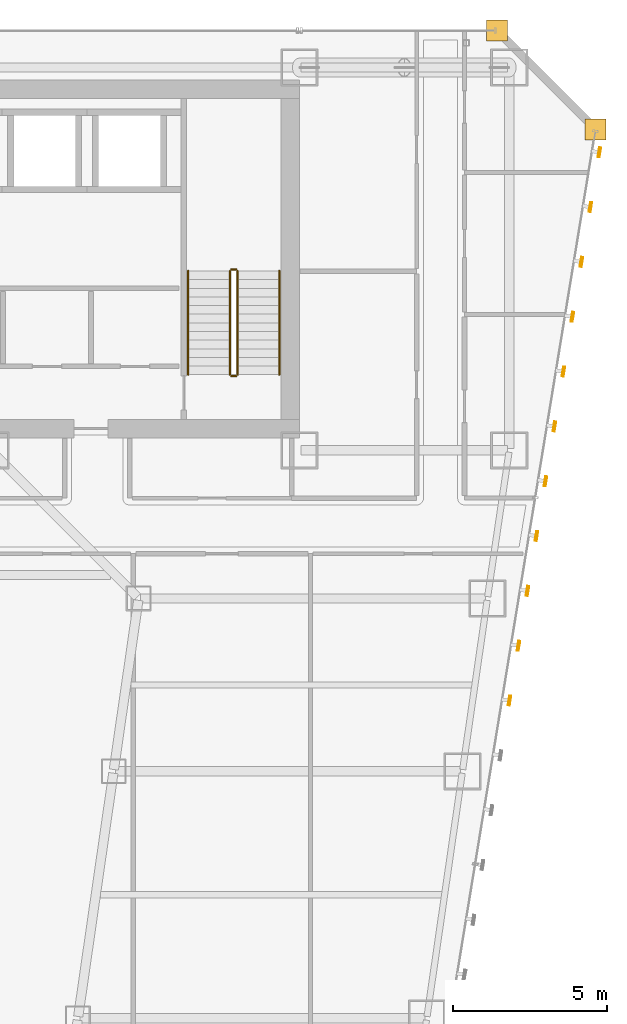
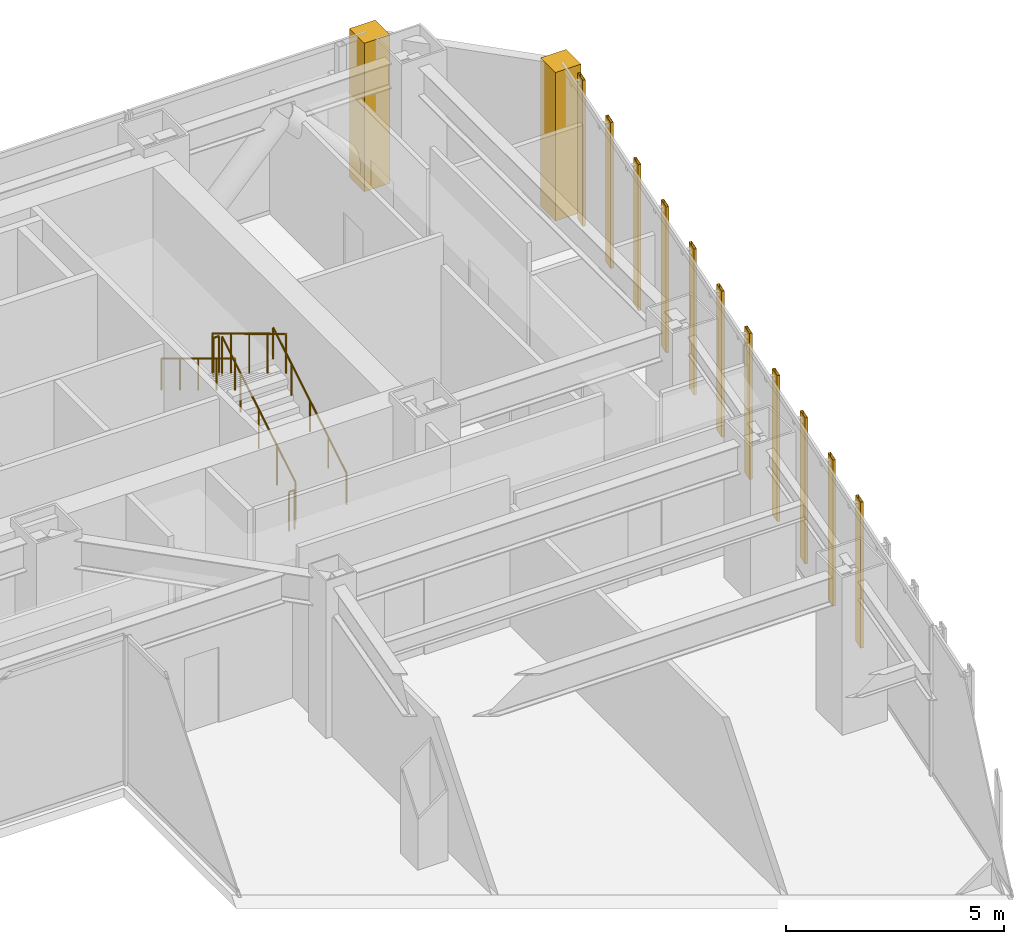
# One storey, part 49 of 49: 11 shading devices, 6 railings, 2 coverings.
"""IFC4 building model written with IfcOpenShell, lengths in metres."""

from ifc_helpers import new_model, si_unit, direction, frame, origin, origin_2d, place, context, subcontext, project, spatial, polyline, hollow_rectangle, circle, outline, extrude, material, layer, layer_set, material_profile, profile_set, type_object, element, save


model = new_model("IFC4")

# Units and contexts
model_context = context("Model", 3, precision=1e-05, world=origin(), true_north=direction((0.0, 1.0)))
body_context = subcontext(model_context, "Body", "Model", "MODEL_VIEW")
ifc_project = project(units=[si_unit("LENGTHUNIT", "METRE"), si_unit("AREAUNIT", "SQUARE_METRE"), si_unit("VOLUMEUNIT", "CUBIC_METRE"), si_unit("PLANEANGLEUNIT", "RADIAN"), si_unit("MASSUNIT", "GRAM", prefix="KILO")], contexts=[model_context])

# Site, building, storey
site_placement = place(None, origin())
site = spatial("IfcSite", under=ifc_project, at=site_placement, CompositionType="ELEMENT")
building_placement = place(site_placement, origin())
building = spatial("IfcBuilding", under=site, at=building_placement, Name="Saevonmaru Cultural Tower", CompositionType="ELEMENT")
storey_placement = place(building_placement, frame((0.0, 0.0, 73.60009765625)))
storey = spatial("IfcBuildingStorey", under=building, at=storey_placement, Name="L15", CompositionType="ELEMENT", Elevation=73.60009765625)

# Coverings
ifc_material_1 = material(Name="Satin Bronze Anodised Aluminium", Category="aluminium")
ifc_layer = layer(ifc_material_1, 0.679931640625, Name="Satin Bronze Anodised Aluminium")
ifc_layer_set = layer_set([ifc_layer], Name="Satin Bronze Anodised Aluminium")
covering_type = type_object("IfcCoveringType", Name="CV-CORNER-CLAD", PredefinedType="CLADDING", material=ifc_layer_set)
covering_1_placement = place(storey_placement, origin())
element("IfcCovering", 1, at=covering_1_placement, inside=storey, type_object=covering_type, Name="L15 Tower Bronze Corner Cladding Pier 9", PredefinedType="CLADDING", context=body_context, shape_type="SweptSolid", body=[
    extrude(outline(polyline([(55.659912109375, 52.4599609375), (56.340087890625, 52.4599609375), (56.340087890625, 53.139892578125), (55.659912109375, 53.139892578125), (55.659912109375, 52.4599609375)])), origin(), (0.0, 0.0, 1.0), 4.14990234375),
])
covering_2_placement = place(storey_placement, origin())
element("IfcCovering", 2, at=covering_2_placement, inside=storey, type_object=covering_type, Name="L15 Tower Bronze Corner Cladding Pier 10", PredefinedType="CLADDING", context=body_context, shape_type="SweptSolid", body=[
    extrude(outline(polyline([(52.4599609375, 55.659912109375), (53.139892578125, 55.659912109375), (53.139892578125, 56.340087890625), (52.4599609375, 56.340087890625), (52.4599609375, 55.659912109375)])), origin(), (0.0, 0.0, 1.0), 4.14990234375),
])

# Railings
ifc_material_2 = material(Name="Architectural Painted Steel", Category="steel")
railing_type_1 = type_object("IfcRailingType", Name="RL-STAIR-GUARD", PredefinedType="GUARDRAIL", material=ifc_material_2)
railing_1_placement = place(storey_placement, frame((44.39990234375, 44.85009765625, 0.169189453125)))
element("IfcRailing", 3, at=railing_1_placement, inside=storey, type_object=railing_type_1, Name="L15 ST-2 stair guard 1", PredefinedType="GUARDRAIL", context=body_context, shape_type="SweptSolid", body=[
    extrude(circle(Radius=0.02392578125, at=origin_2d()), frame((0.0, 0.0, 1.09619140625), z_axis=(0.0, 0.855820338506, 0.51727318527), x_axis=(-1.0, 0.0, 0.0)), (0.0, 0.0, 1.0), 3.92578125),
    extrude(circle(Radius=0.02099609375, at=origin_2d()), origin(), (0.0, 0.0, 1.0), 1.072021484375),
    extrude(circle(Radius=0.02099609375, at=origin_2d()), frame((0.0, 0.83984375, 0.5078125)), (0.0, 0.0, 1.0), 1.072021484375),
    extrude(circle(Radius=0.02099609375, at=origin_2d()), frame((0.0, 1.679931640625, 1.015380859375)), (0.0, 0.0, 1.0), 1.072021484375),
    extrude(circle(Radius=0.02099609375, at=origin_2d()), frame((0.0, 2.52001953125, 1.52294921875)), (0.0, 0.0, 1.0), 1.072021484375),
    extrude(circle(Radius=0.02099609375, at=origin_2d()), frame((0.0, 3.35986328125, 2.03076171875)), (0.0, 0.0, 1.0), 1.072021484375),
])
railing_2_placement = place(storey_placement, frame((44.35009765625, 48.260009765625, 2.199951171875)))
element("IfcRailing", 4, at=railing_2_placement, inside=storey, type_object=railing_type_1, Name="L15 ST-2 stair guard 2", PredefinedType="GUARDRAIL", context=body_context, shape_type="SweptSolid", body=[
    extrude(circle(Radius=0.02392578125, at=origin_2d()), frame((0.0, 0.0, 1.09619140625), z_axis=(-1.0, 0.0, 0.0), x_axis=(0.0, -1.0, 0.0)), (0.0, 0.0, 1.0), 0.150146484375),
    extrude(circle(Radius=0.02099609375, at=origin_2d()), origin(), (0.0, 0.0, 1.0), 1.072021484375),
    extrude(circle(Radius=0.02099609375, at=origin_2d()), frame((-0.150146484375, 0.0, 0.0)), (0.0, 0.0, 1.0), 1.072021484375),
])
railing_3_placement = place(storey_placement, frame((44.14990234375, 48.2099609375, 2.369140625)))
element("IfcRailing", 5, at=railing_3_placement, inside=storey, type_object=railing_type_1, Name="L15 ST-2 stair guard 3", PredefinedType="GUARDRAIL", context=body_context, shape_type="SweptSolid", body=[
    extrude(circle(Radius=0.02392578125, at=origin_2d()), frame((0.0, 0.0, 1.09619140625), z_axis=(0.0, -0.855820338506, 0.51727318527), x_axis=(1.0, 0.0, 0.0)), (0.0, 0.0, 1.0), 3.92578125),
    extrude(circle(Radius=0.02099609375, at=origin_2d()), origin(), (0.0, 0.0, 1.0), 1.072021484375),
    extrude(circle(Radius=0.02099609375, at=origin_2d()), frame((0.0, -0.83984375, 0.5078125)), (0.0, 0.0, 1.0), 1.072021484375),
    extrude(circle(Radius=0.02099609375, at=origin_2d()), frame((0.0, -1.679931640625, 1.015380859375)), (0.0, 0.0, 1.0), 1.072021484375),
    extrude(circle(Radius=0.02099609375, at=origin_2d()), frame((0.0, -2.52001953125, 1.52294921875)), (0.0, 0.0, 1.0), 1.072021484375),
    extrude(circle(Radius=0.02099609375, at=origin_2d()), frame((0.0, -3.35986328125, 2.03076171875)), (0.0, 0.0, 1.0), 1.072021484375),
])
railing_4_placement = place(storey_placement, frame((44.35009765625, 44.800048828125, 0.0)))
element("IfcRailing", 6, at=railing_4_placement, inside=storey, type_object=railing_type_1, Name="L15 ST-2 stair guard 4", PredefinedType="GUARDRAIL", context=body_context, shape_type="SweptSolid", body=[
    extrude(circle(Radius=0.02392578125, at=origin_2d()), frame((0.0, 0.0, 1.09619140625), z_axis=(-1.0, 0.0, 0.0), x_axis=(0.0, -1.0, 0.0)), (0.0, 0.0, 1.0), 0.150146484375),
    extrude(circle(Radius=0.02099609375, at=origin_2d()), origin(), (0.0, 0.0, 1.0), 1.072021484375),
    extrude(circle(Radius=0.02099609375, at=origin_2d()), frame((-0.150146484375, 0.0, 0.0)), (0.0, 0.0, 1.0), 1.072021484375),
])
railing_type_2 = type_object("IfcRailingType", Name="RL-STAIR-HANDRAIL", PredefinedType="HANDRAIL", material=ifc_material_1)
railing_5_placement = place(storey_placement, frame((45.75, 44.85009765625, 0.169189453125)))
element("IfcRailing", 7, at=railing_5_placement, inside=storey, type_object=railing_type_2, Name="L15 ST-2 stair handrail 1", PredefinedType="HANDRAIL", context=body_context, shape_type="SweptSolid", body=[
    extrude(circle(Radius=0.02392578125, at=origin_2d()), frame((0.0, 0.0, 0.8759765625), z_axis=(0.0, 0.855820338506, 0.51727318527), x_axis=(-1.0, 0.0, 0.0)), (0.0, 0.0, 1.0), 3.92578125),
    extrude(circle(Radius=0.02099609375, at=origin_2d()), origin(), (0.0, 0.0, 1.0), 0.851806640625),
    extrude(circle(Radius=0.02099609375, at=origin_2d()), frame((0.0, 0.83984375, 0.5078125)), (0.0, 0.0, 1.0), 0.851806640625),
    extrude(circle(Radius=0.02099609375, at=origin_2d()), frame((0.0, 1.679931640625, 1.015380859375)), (0.0, 0.0, 1.0), 0.851806640625),
    extrude(circle(Radius=0.02099609375, at=origin_2d()), frame((0.0, 2.52001953125, 1.52294921875)), (0.0, 0.0, 1.0), 0.851806640625),
    extrude(circle(Radius=0.02099609375, at=origin_2d()), frame((0.0, 3.35986328125, 2.03076171875)), (0.0, 0.0, 1.0), 0.851806640625),
])
railing_6_placement = place(storey_placement, frame((42.800048828125, 48.2099609375, 2.369140625)))
element("IfcRailing", 8, at=railing_6_placement, inside=storey, type_object=railing_type_2, Name="L15 ST-2 stair handrail 2", PredefinedType="HANDRAIL", context=body_context, shape_type="SweptSolid", body=[
    extrude(circle(Radius=0.02392578125, at=origin_2d()), frame((0.0, 0.0, 0.8759765625), z_axis=(0.0, -0.855820338506, 0.51727318527), x_axis=(1.0, 0.0, 0.0)), (0.0, 0.0, 1.0), 3.92578125),
    extrude(circle(Radius=0.02099609375, at=origin_2d()), origin(), (0.0, 0.0, 1.0), 0.851806640625),
    extrude(circle(Radius=0.02099609375, at=origin_2d()), frame((0.0, -0.83984375, 0.5078125)), (0.0, 0.0, 1.0), 0.851806640625),
    extrude(circle(Radius=0.02099609375, at=origin_2d()), frame((0.0, -1.679931640625, 1.015380859375)), (0.0, 0.0, 1.0), 0.851806640625),
    extrude(circle(Radius=0.02099609375, at=origin_2d()), frame((0.0, -2.52001953125, 1.52294921875)), (0.0, 0.0, 1.0), 0.851806640625),
    extrude(circle(Radius=0.02099609375, at=origin_2d()), frame((0.0, -3.35986328125, 2.03076171875)), (0.0, 0.0, 1.0), 0.851806640625),
])

# Shading devices
ifc_material_profile = material_profile(ifc_material_1, hollow_rectangle(XDim=0.070068359375, YDim=0.320068359375, WallThickness=0.0048828125, at=origin_2d()), Name="FIN-320x70")
ifc_profile_set = profile_set([ifc_material_profile], Name="Satin Bronze Anodised Aluminium")
shading_device_type = type_object("IfcShadingDeviceType", Name="SHD-FIN-320", PredefinedType="JALOUSIE", material=ifc_profile_set)
for number, where, z_axis, x_axis, name in (
    (9, (53.210205078125, 34.2900390625, 0.0498046875), (0.0, 0.0, 1.0), (0.986827496189, -0.161776057456, 0.0), "L15 Art Deco Sawtooth Bronze Fin E8-17"),
    (10, (53.501220703125, 36.06640625, 0.0498046875), (0.0, 0.0, 1.0), (0.986827496189, -0.161776057456, 0.0), "L15 Art Deco Sawtooth Bronze Fin E8-18"),
    (11, (53.792236328125, 37.8427734375, 0.0498046875), (0.0, 0.0, 1.0), (0.986827496189, -0.161776057456, 0.0), "L15 Art Deco Sawtooth Bronze Fin E8-19"),
    (12, (54.083251953125, 39.618896484375, 0.0498046875), (0.0, 0.0, 1.0), (0.986827496189, -0.161776057456, 0.0), "L15 Art Deco Sawtooth Bronze Fin E8-20"),
    (13, (54.37451171875, 41.3955078125, 0.0498046875), (0.0, 0.0, 1.0), (0.986827496189, -0.161776057456, 0.0), "L15 Art Deco Sawtooth Bronze Fin E8-21"),
    (14, (54.665283203125, 43.171630859375, 0.0498046875), (0.0, 0.0, 1.0), (0.986827496189, -0.161776057456, 0.0), "L15 Art Deco Sawtooth Bronze Fin E8-22"),
    (15, (54.95654296875, 44.947998046875, 0.0498046875), (0.0, 0.0, 1.0), (0.986827496189, -0.161776057456, 0.0), "L15 Art Deco Sawtooth Bronze Fin E8-23"),
    (16, (55.24755859375, 46.724365234375, 0.0498046875), (0.0, 0.0, 1.0), (0.986827496189, -0.161776057456, 0.0), "L15 Art Deco Sawtooth Bronze Fin E8-24"),
    (17, (55.538818359375, 48.50048828125, 0.0498046875), (0.0, 0.0, 1.0), (0.986827496189, -0.161776057456, 0.0), "L15 Art Deco Sawtooth Bronze Fin E8-25"),
    (18, (55.829833984375, 50.27685546875, 0.0498046875), (0.0, 0.0, 1.0), (0.986827496189, -0.161776057456, 0.0), "L15 Art Deco Sawtooth Bronze Fin E8-26"),
    (19, (56.120849609375, 52.05322265625, 0.0498046875), (0.0, 0.0, 1.0), (0.986827496189, -0.161776057456, 0.0), "L15 Art Deco Sawtooth Bronze Fin E8-27"),
):
    element("IfcShadingDevice", number, at=place(storey_placement, frame(where, z_axis=z_axis, x_axis=x_axis)), inside=storey, type_object=shading_device_type, Name=name, PredefinedType="JALOUSIE", context=body_context, shape_type="SweptSolid", body=[
        extrude(hollow_rectangle(XDim=0.070068359375, YDim=0.320068359375, WallThickness=0.0048828125, at=origin_2d()), origin(), (0.0, 0.0, 1.0), 4.080078125),
    ])

save(model, "model.ifc")
